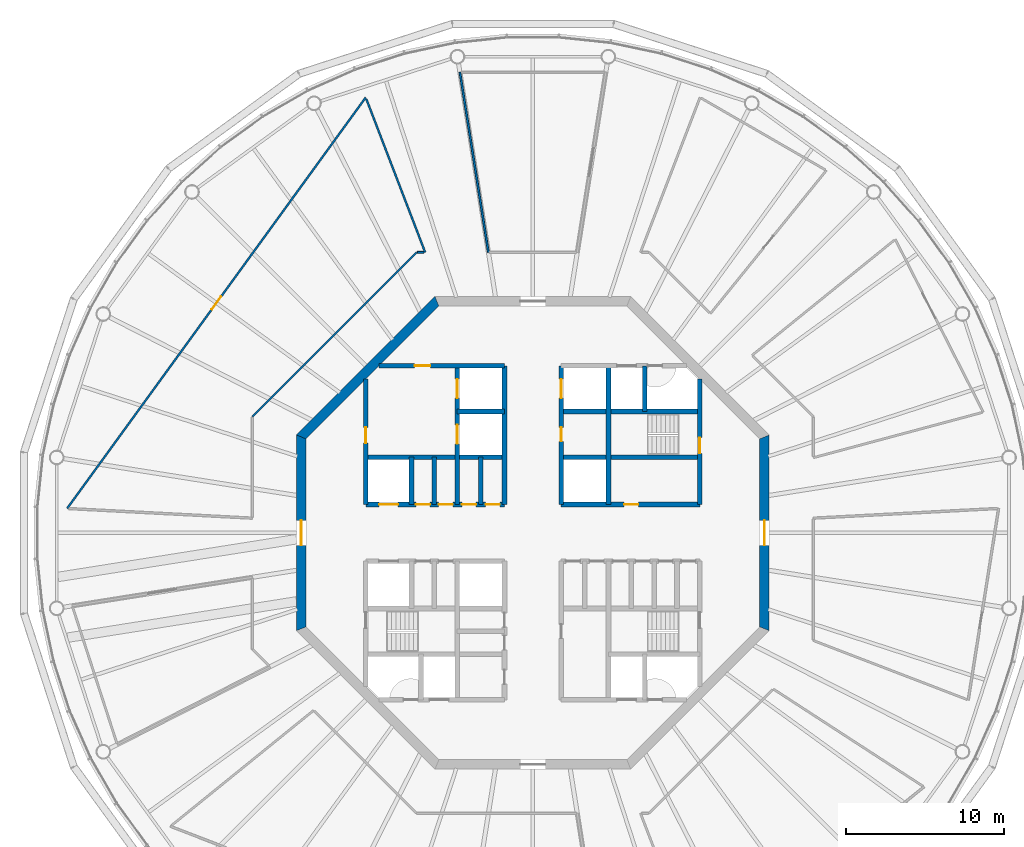
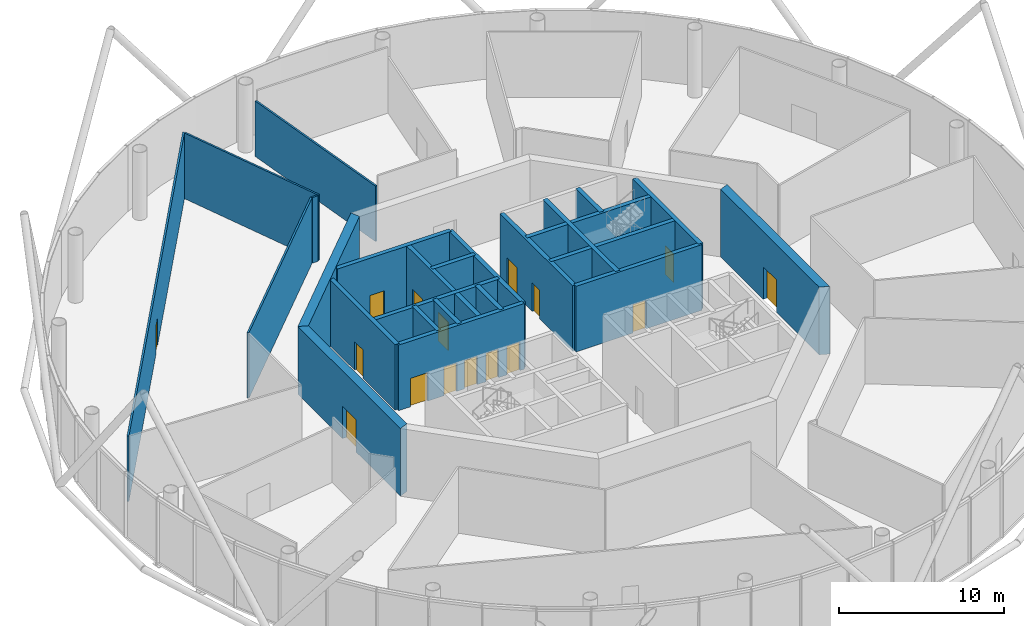
# One storey, part 5 of 13: 25 walls, 16 doors, 16 openings.
"""IFC4 building model written with IfcOpenShell, lengths in metres."""

import ifcopenshell
import ifcopenshell.guid

model = None  # the IFC model being written
_history = None  # IfcOwnerHistory: only IFC2X3 demands one
_inside = {}  # id of a spatial element -> (the spatial element, [elements in it])
_under = {}  # id of a project, library or spatial element -> (it, [spatial elements below it])
_declared = {}  # id of a project -> (the project, [libraries it declares])
_typed = {}  # id of a type object -> (the type object, [elements of that type])
_made_of = {}  # id of a material, layer set ... -> (it, [elements and type objects made of it])


def new_model(schema):
    """Start an empty IFC model of exactly this schema.

    Asked for "IFC4X3", IfcOpenShell would pick the latest addendum, in which some entities
    have other attributes; the version numbers below select the first issue.
    IFC2X3 requires an IfcOwnerHistory on every rooted entity: one is made here for all.
    """
    global model, _history
    if schema == "IFC4X3":
        model = ifcopenshell.file(schema_version=(4, 3, 0, 0))
    else:
        model = ifcopenshell.file(schema=schema)
    _inside.clear()
    _under.clear()
    _declared.clear()
    _typed.clear()
    _made_of.clear()
    _history = None
    if model.schema == "IFC2X3":
        org = make("IfcOrganization", Name="unknown")
        user = make(
            "IfcPersonAndOrganization",
            ThePerson=make("IfcPerson", FamilyName="unknown"),
            TheOrganization=org,
        )
        app = make(
            "IfcApplication",
            ApplicationDeveloper=org,
            Version="unknown",
            ApplicationFullName="unknown",
            ApplicationIdentifier="unknown",
        )
        _history = make(
            "IfcOwnerHistory",
            OwningUser=user,
            OwningApplication=app,
            ChangeAction="ADDED",
            CreationDate=0,
        )
    return model


def make(cls, **values):
    """One entity of the class cls with the attributes given. An attribute that is None is left unset."""
    return model.create_entity(
        cls, **{name: value for name, value in values.items() if value is not None}
    )


def rooted(cls, **values):
    """An entity with a GlobalId (a new one), such as an element, a storey or a relation."""
    return make(cls, GlobalId=ifcopenshell.guid.new(), OwnerHistory=_history, **values)


def si_unit(unit_type, name, prefix=None):
    """IfcSIUnit, for example si_unit("LENGTHUNIT", "METRE", prefix="MILLI")."""
    return make("IfcSIUnit", UnitType=unit_type, Prefix=prefix, Name=name)


def assignment(units):
    """IfcUnitAssignment: the units of a project."""
    return None if units is None else make("IfcUnitAssignment", Units=units)


def point(xyz):
    """IfcCartesianPoint."""
    return None if xyz is None else make("IfcCartesianPoint", Coordinates=xyz)


def direction(xyz):
    """IfcDirection."""
    return None if xyz is None else make("IfcDirection", DirectionRatios=xyz)


def frame(location, z_axis=None, x_axis=None):
    """IfcAxis2Placement3D, a coordinate frame: its origin and axes. An axis left out is left unset."""
    return make(
        "IfcAxis2Placement3D",
        Location=point(location),
        Axis=direction(z_axis),
        RefDirection=direction(x_axis),
    )


def frame_2d(location, x_axis=None):
    """IfcAxis2Placement2D, a coordinate frame in the plane: its origin and x axis."""
    return make(
        "IfcAxis2Placement2D", Location=point(location), RefDirection=direction(x_axis)
    )


def origin():
    """The frame at (0, 0, 0) with its axes left unset."""
    return frame((0.0, 0.0, 0.0))


def place(relative_to, where):
    """IfcLocalPlacement: puts the frame where relative to a parent placement (None: the world)."""
    return make(
        "IfcLocalPlacement", PlacementRelTo=relative_to, RelativePlacement=where
    )


def context(
    kind, dimensions, precision=None, world=None, true_north=None, identifier=None
):
    """IfcGeometricRepresentationContext, for example the 3D "Model" context."""
    return make(
        "IfcGeometricRepresentationContext",
        ContextIdentifier=identifier,
        ContextType=kind,
        CoordinateSpaceDimension=dimensions,
        Precision=precision,
        WorldCoordinateSystem=world,
        TrueNorth=true_north,
    )


def subcontext(parent, identifier, kind, view, scale=None):
    """IfcGeometricRepresentationSubContext, for example "Body" below "Model"."""
    return make(
        "IfcGeometricRepresentationSubContext",
        ContextIdentifier=identifier,
        ContextType=kind,
        ParentContext=parent,
        TargetScale=scale,
        TargetView=view,
    )


def project(units=None, contexts=None):
    """IfcProject with its units and contexts."""
    return rooted(
        "IfcProject",
        Name="project",
        RepresentationContexts=contexts,
        UnitsInContext=assignment(units),
    )


def spatial(cls, under=None, at=None, **own):
    """A site, building, storey or space (cls), placed at a placement, below another one or the project."""
    s = rooted(cls, ObjectPlacement=at, **own)
    if under is not None:
        _under.setdefault(under.id(), (under, []))[1].append(s)
    return s


def polyline(points):
    """IfcPolyline through the points."""
    return make("IfcPolyline", Points=[point(p) for p in points])


def profile(cls, at=None, kind="AREA", **sizes):
    """A parametric profile (cls). Its sizes go by their IFC names, for example OverallWidth=200.0."""
    return make(cls, ProfileType=kind, Position=at, **sizes)


def rectangle(**sizes):
    """IfcRectangleProfileDef."""
    return profile("IfcRectangleProfileDef", **sizes)


def outline(outer, holes=None, kind="AREA"):
    """IfcArbitraryClosedProfileDef: a profile drawn as a closed curve; with holes, ...WithVoids."""
    if holes is None:
        return make("IfcArbitraryClosedProfileDef", ProfileType=kind, OuterCurve=outer)
    return make(
        "IfcArbitraryProfileDefWithVoids",
        ProfileType=kind,
        OuterCurve=outer,
        InnerCurves=holes,
    )


def extrude(swept, where, along, depth):
    """IfcExtrudedAreaSolid: the profile swept, set in the frame where, extruded along a direction by depth."""
    return make(
        "IfcExtrudedAreaSolid",
        SweptArea=swept,
        Position=where,
        ExtrudedDirection=direction(along),
        Depth=depth,
    )


def shape(context_of_items, identifier, shape_type, items):
    """IfcShapeRepresentation: the items that make up one representation, for example the "Body"."""
    return make(
        "IfcShapeRepresentation",
        ContextOfItems=context_of_items,
        RepresentationIdentifier=identifier,
        RepresentationType=shape_type,
        Items=items,
    )


def material(Name=None, Category=None):
    """IfcMaterial."""
    return make("IfcMaterial", Name=Name, Category=Category)


def layer(
    of_material, thickness, ventilated=None, Name=None, Category=None, Priority=None
):
    """IfcMaterialLayer: one layer of a wall or slab, of a material (None: an air gap)."""
    return make(
        "IfcMaterialLayer",
        Material=of_material,
        LayerThickness=thickness,
        IsVentilated=ventilated,
        Name=Name,
        Category=Category,
        Priority=Priority,
    )


def layer_set(layers, Name=None):
    """IfcMaterialLayerSet."""
    return make("IfcMaterialLayerSet", MaterialLayers=layers, LayerSetName=Name)


def made_of(thing, what):
    """Note that an element or type object is made of a material, layer set ...; save() writes the relation."""
    if what is not None:
        _made_of.setdefault(what.id(), (what, []))[1].append(thing)
    return thing


def type_object(cls, material=None, **own):
    """A type object (cls), such as IfcWallType, which elements share."""
    return made_of(rooted(cls, **own), material)


def element(
    cls,
    number,
    at=None,
    inside=None,
    cuts=None,
    type_object=None,
    material=None,
    context=None,
    identifier="Body",
    shape_type=None,
    held_by="IfcProductDefinitionShape",
    body=None,
    shapes=None,
    **own,
):
    """One element of the class cls, such as IfcWall. Its Tag is "e" and its number.

    at: its placement. inside: the storey or other place that contains it. cuts: it is an
    opening in that element (IfcRelVoidsElement). A single representation is given by context,
    identifier, shape_type and body (its items); several are given by shapes. held_by: the class
    of the entity that holds the representations. save() writes the other relations.
    """
    e = rooted(cls, Tag="e%d" % number, ObjectPlacement=at, **own)
    if body is not None:
        shapes = [shape(context, identifier, shape_type, body)]
    if shapes is not None:
        e.Representation = make(held_by, Representations=shapes)
    if inside is not None:
        _inside.setdefault(inside.id(), (inside, []))[1].append(e)
    if cuts is not None:
        rooted(
            "IfcRelVoidsElement", RelatingBuildingElement=cuts, RelatedOpeningElement=e
        )
    if type_object is not None:
        _typed.setdefault(type_object.id(), (type_object, []))[1].append(e)
    return made_of(e, material)


def fill(opening, filler):
    """IfcRelFillsElement: the door or window that sits in an opening."""
    return rooted(
        "IfcRelFillsElement",
        RelatingOpeningElement=opening,
        RelatedBuildingElement=filler,
    )


def aggregate(whole, parts):
    """IfcRelAggregates: a whole, such as a stair, and the parts it consists of."""
    return rooted("IfcRelAggregates", RelatingObject=whole, RelatedObjects=parts)


def save(model, path):
    """Write the relations noted so far, then the file.

    IfcRelAggregates (storeys below a building ...), IfcRelContainedInSpatialStructure (elements
    in a storey), IfcRelDefinesByType, IfcRelAssociatesMaterial and IfcRelDeclares: one each for
    every whole, place, type object, material and project.
    """
    for whole, parts in _under.values():
        aggregate(whole, parts)
    for where, things in _inside.values():
        rooted(
            "IfcRelContainedInSpatialStructure",
            RelatedElements=things,
            RelatingStructure=where,
        )
    for kind, things in _typed.values():
        rooted("IfcRelDefinesByType", RelatedObjects=things, RelatingType=kind)
    for what, things in _made_of.values():
        rooted("IfcRelAssociatesMaterial", RelatedObjects=things, RelatingMaterial=what)
    for by, libraries in _declared.values():
        rooted("IfcRelDeclares", RelatingContext=by, RelatedDefinitions=libraries)
    model.write(path)


model = new_model("IFC4")

# Units and contexts
model_context = context("Model", 3, precision=1e-05, world=origin(), true_north=direction((0.0, 1.0)))
body_context = subcontext(model_context, "Body", "Model", "MODEL_VIEW")
ifc_project = project(units=[si_unit("LENGTHUNIT", "METRE"), si_unit("AREAUNIT", "SQUARE_METRE"), si_unit("VOLUMEUNIT", "CUBIC_METRE"), si_unit("PLANEANGLEUNIT", "RADIAN"), si_unit("MASSUNIT", "GRAM", prefix="KILO")], contexts=[model_context])

# Site, building, storey
site_placement = place(None, origin())
site = spatial("IfcSite", under=ifc_project, at=site_placement, CompositionType="ELEMENT")
building_placement = place(site_placement, origin())
building = spatial("IfcBuilding", under=site, at=building_placement, Name="Entoto Ring Tower", CompositionType="ELEMENT")
storey_placement = place(building_placement, frame((0.0, 0.0, 402.0)))
storey = spatial("IfcBuildingStorey", under=building, at=storey_placement, Name="L92", CompositionType="ELEMENT", Elevation=402.0)

# Wall, opening, door
ifc_material_1 = material(Name="Concrete C40/50", Category="concrete")
ifc_layer_1 = layer(ifc_material_1, 0.300048828125)
ifc_layer_set_1 = layer_set([ifc_layer_1], Name="Concrete C40/50")
wall_type_1 = type_object("IfcWallType", Name="Core enclosure wall 300 mm reinforced concrete", PredefinedType="SOLIDWALL", material=ifc_layer_set_1)
wall_1_placement = place(storey_placement, frame((100.60009765625, 81.800048828125, 0.0), z_axis=(0.0, 0.0, 1.0), x_axis=(0.0, 1.0, 0.0)))
wall_1 = element("IfcWall", 1, at=wall_1_placement, inside=storey, type_object=wall_type_1, Name="wall-L92-002", PredefinedType="SOLIDWALL", context=body_context, shape_type="SweptSolid", body=[
    extrude(rectangle(XDim=7.964599609375, YDim=0.300048828125, at=frame_2d((3.982421875, 0.0))), origin(), (0.0, 0.0, 1.0), 4.85009765625),
])
opening_1_placement = place(wall_1_placement, frame((3.25, 0.0, 0.0)))
opening_1 = element("IfcOpeningElement", 2, at=opening_1_placement, cuts=wall_1, Name="Opening K-29", PredefinedType="OPENING", context=body_context, shape_type="SweptSolid", body=[
    extrude(rectangle(XDim=1.0, YDim=2.10009765625, at=frame_2d((0.5, 1.050048828125))), frame((0.0, 0.16015625, 0.0), z_axis=(0.0, -1.0, 0.0), x_axis=(1.0, 0.0, 0.0)), (0.0, 0.0, 1.0), 0.320068359375),
])
ifc_material_2 = material(Name="Steel door leaf, fire rated", Category="steel")
ifc_layer_2 = layer(ifc_material_2, 0.050048828125)
ifc_layer_set_2 = layer_set([ifc_layer_2], Name="Steel door leaf, fire rated")
door_type_1 = type_object("IfcDoorType", Name="Fire door FD60 1000 x 2100 single leaf", OperationType="NOTDEFINED", PredefinedType="DOOR", material=ifc_layer_set_2)
door_1_placement = place(opening_1_placement, origin())
door_1 = element("IfcDoor", 3, at=door_1_placement, inside=storey, type_object=door_type_1, Name="Door K-29", OperationType="SINGLE_SWING_RIGHT", OverallHeight=2.10009765625, OverallWidth=1.0, PredefinedType="DOOR", context=body_context, shape_type="SweptSolid", body=[
    extrude(rectangle(XDim=1.0, YDim=2.10009765625, at=frame_2d((0.5, 1.050048828125))), frame((0.0, 0.02490234375, 0.0), z_axis=(0.0, -1.0, 0.0), x_axis=(1.0, 0.0, 0.0)), (0.0, 0.0, 1.0), 0.050048828125),
])
fill(opening_1, door_1)

# Walls
wall_2_placement = place(storey_placement, frame((97.10009765625, 87.699951171875, 0.0), z_axis=(0.0, 0.0, 1.0), x_axis=(0.0, 1.0, 0.0)))
element("IfcWall", 4, at=wall_2_placement, inside=storey, type_object=wall_type_1, Name="wall-L92-006", PredefinedType="SOLIDWALL", context=body_context, shape_type="SweptSolid", body=[
    extrude(rectangle(XDim=2.900146484375, YDim=0.300048828125, at=frame_2d((1.4501953125, 0.0))), origin(), (0.0, 0.0, 1.0), 4.85009765625),
])
wall_3_placement = place(storey_placement, frame((94.800048828125, 81.800048828125, 0.0), z_axis=(0.0, 0.0, 1.0), x_axis=(0.0, 1.0, 0.0)))
element("IfcWall", 5, at=wall_3_placement, inside=storey, type_object=wall_type_1, Name="wall-L92-009", PredefinedType="SOLIDWALL", context=body_context, shape_type="SweptSolid", body=[
    extrude(rectangle(XDim=8.800048828125, YDim=0.300048828125, at=frame_2d((4.39990234375, 0.0))), origin(), (0.0, 0.0, 1.0), 4.85009765625),
])

# Wall, openings, doors
wall_4_placement = place(storey_placement, frame((91.800048828125, 81.800048828125, 0.0), z_axis=(0.0, 0.0, 1.0), x_axis=(0.0, 1.0, 0.0)))
wall_4 = element("IfcWall", 6, at=wall_4_placement, inside=storey, type_object=wall_type_1, Name="wall-L92-012", PredefinedType="SOLIDWALL", context=body_context, shape_type="SweptSolid", body=[
    extrude(rectangle(XDim=8.800048828125, YDim=0.300048828125, at=frame_2d((4.39990234375, 0.0))), origin(), (0.0, 0.0, 1.0), 4.85009765625),
])
opening_2_placement = place(wall_4_placement, frame((6.75, 0.0, 0.0)))
opening_2 = element("IfcOpeningElement", 7, at=opening_2_placement, cuts=wall_4, Name="Opening LD", PredefinedType="OPENING", context=body_context, shape_type="SweptSolid", body=[
    extrude(rectangle(XDim=1.199951171875, YDim=2.10009765625, at=frame_2d((0.60009765625, 1.050048828125))), frame((0.0, 0.16015625, 0.0), z_axis=(0.0, -1.0, 0.0), x_axis=(1.0, 0.0, 0.0)), (0.0, 0.0, 1.0), 0.320068359375),
])
opening_3_placement = place(wall_4_placement, frame((4.0, 0.0, 0.0)))
opening_3 = element("IfcOpeningElement", 8, at=opening_3_placement, cuts=wall_4, Name="Opening K-63", PredefinedType="OPENING", context=body_context, shape_type="SweptSolid", body=[
    extrude(rectangle(XDim=0.89990234375, YDim=2.10009765625, at=frame_2d((0.449951171875, 1.050048828125))), frame((0.0, 0.16015625, 0.0), z_axis=(0.0, -1.0, 0.0), x_axis=(1.0, 0.0, 0.0)), (0.0, 0.0, 1.0), 0.320068359375),
])
ifc_material_3 = material(Name="Steel door leaf, fire rated", Category="steel")
ifc_layer_3 = layer(ifc_material_3, 0.050048828125)
ifc_layer_set_3 = layer_set([ifc_layer_3], Name="Steel door leaf, fire rated")
door_type_2 = type_object("IfcDoorType", Name="Core door 900 x 2100 single leaf", OperationType="NOTDEFINED", PredefinedType="DOOR", material=ifc_layer_set_3)
door_2_placement = place(opening_3_placement, origin())
door_2 = element("IfcDoor", 9, at=door_2_placement, inside=storey, type_object=door_type_2, Name="Door K-63", OperationType="SINGLE_SWING_RIGHT", OverallHeight=2.10009765625, OverallWidth=0.89990234375, PredefinedType="DOOR", context=body_context, shape_type="SweptSolid", body=[
    extrude(rectangle(XDim=0.89990234375, YDim=2.10009765625, at=frame_2d((0.449951171875, 1.050048828125))), frame((0.0, 0.02490234375, 0.0), z_axis=(0.0, -1.0, 0.0), x_axis=(1.0, 0.0, 0.0)), (0.0, 0.0, 1.0), 0.050048828125),
])
fill(opening_3, door_2)
ifc_material_4 = material(Name="Steel and glass door leaf", Category="steel")
ifc_layer_4 = layer(ifc_material_4, 0.050048828125)
ifc_layer_set_4 = layer_set([ifc_layer_4], Name="Steel and glass door leaf")
door_type_3 = type_object("IfcDoorType", Name="Landing door 1200 x 2100 sliding", OperationType="DOUBLE_DOOR_SLIDING", PredefinedType="DOOR", material=ifc_layer_set_4)
door_3_placement = place(opening_2_placement, origin())
door_3 = element("IfcDoor", 10, at=door_3_placement, inside=storey, type_object=door_type_3, Name="Landing door SH3", OperationType="SLIDING_TO_RIGHT", OverallHeight=2.10009765625, OverallWidth=1.199951171875, PredefinedType="DOOR", context=body_context, shape_type="SweptSolid", body=[
    extrude(rectangle(XDim=1.199951171875, YDim=2.10009765625, at=frame_2d((0.60009765625, 1.050048828125))), frame((0.0, 0.02490234375, 0.0), z_axis=(0.0, -1.0, 0.0), x_axis=(1.0, 0.0, 0.0)), (0.0, 0.0, 1.0), 0.050048828125),
])
fill(opening_2, door_3)

# Walls
wall_5_placement = place(storey_placement, frame((88.199951171875, 81.800048828125, 0.0), z_axis=(0.0, 0.0, 1.0), x_axis=(0.0, 1.0, 0.0)))
element("IfcWall", 11, at=wall_5_placement, inside=storey, type_object=wall_type_1, Name="wall-L92-014", PredefinedType="SOLIDWALL", context=body_context, shape_type="SweptSolid", body=[
    extrude(rectangle(XDim=8.800048828125, YDim=0.300048828125, at=frame_2d((4.39990234375, 0.0))), origin(), (0.0, 0.0, 1.0), 4.85009765625),
])
wall_6_placement = place(storey_placement, frame((86.699951171875, 81.800048828125, 0.0), z_axis=(0.0, 0.0, 1.0), x_axis=(0.0, 1.0, 0.0)))
element("IfcWall", 12, at=wall_6_placement, inside=storey, type_object=wall_type_1, Name="wall-L92-015", PredefinedType="SOLIDWALL", context=body_context, shape_type="SweptSolid", body=[
    extrude(rectangle(XDim=3.0, YDim=0.300048828125, at=frame_2d((1.5, 0.0))), origin(), (0.0, 0.0, 1.0), 4.85009765625),
])

# Wall, openings, doors
wall_7_placement = place(storey_placement, frame((85.199951171875, 81.800048828125, 0.0), z_axis=(0.0, 0.0, 1.0), x_axis=(0.0, 1.0, 0.0)))
wall_7 = element("IfcWall", 13, at=wall_7_placement, inside=storey, type_object=wall_type_1, Name="wall-L92-017", PredefinedType="SOLIDWALL", context=body_context, shape_type="SweptSolid", body=[
    extrude(rectangle(XDim=8.800048828125, YDim=0.300048828125, at=frame_2d((4.39990234375, 0.0))), origin(), (0.0, 0.0, 1.0), 4.85009765625),
])
opening_4_placement = place(wall_7_placement, frame((3.85009765625, 0.0, 0.0)))
opening_4 = element("IfcOpeningElement", 14, at=opening_4_placement, cuts=wall_7, Name="Opening LD", PredefinedType="OPENING", context=body_context, shape_type="SweptSolid", body=[
    extrude(rectangle(XDim=1.199951171875, YDim=2.10009765625, at=frame_2d((0.60009765625, 1.050048828125))), frame((0.0, 0.16015625, 0.0), z_axis=(0.0, -1.0, 0.0), x_axis=(1.0, 0.0, 0.0)), (0.0, 0.0, 1.0), 0.320068359375),
])
opening_5_placement = place(wall_7_placement, frame((6.75, 0.0, 0.0)))
opening_5 = element("IfcOpeningElement", 15, at=opening_5_placement, cuts=wall_7, Name="Opening LD", PredefinedType="OPENING", context=body_context, shape_type="SweptSolid", body=[
    extrude(rectangle(XDim=1.199951171875, YDim=2.10009765625, at=frame_2d((0.60009765625, 1.050048828125))), frame((0.0, 0.16015625, 0.0), z_axis=(0.0, -1.0, 0.0), x_axis=(1.0, 0.0, 0.0)), (0.0, 0.0, 1.0), 0.320068359375),
])
door_4_placement = place(opening_4_placement, origin())
door_4 = element("IfcDoor", 16, at=door_4_placement, inside=storey, type_object=door_type_3, Name="Landing door FF1", OperationType="SLIDING_TO_RIGHT", OverallHeight=2.10009765625, OverallWidth=1.199951171875, PredefinedType="DOOR", context=body_context, shape_type="SweptSolid", body=[
    extrude(rectangle(XDim=1.199951171875, YDim=2.10009765625, at=frame_2d((0.60009765625, 1.050048828125))), frame((0.0, 0.02490234375, 0.0), z_axis=(0.0, -1.0, 0.0), x_axis=(1.0, 0.0, 0.0)), (0.0, 0.0, 1.0), 0.050048828125),
])
fill(opening_4, door_4)
door_5_placement = place(opening_5_placement, origin())
door_5 = element("IfcDoor", 17, at=door_5_placement, inside=storey, type_object=door_type_3, Name="Landing door FF2", OperationType="SLIDING_TO_RIGHT", OverallHeight=2.10009765625, OverallWidth=1.199951171875, PredefinedType="DOOR", context=body_context, shape_type="SweptSolid", body=[
    extrude(rectangle(XDim=1.199951171875, YDim=2.10009765625, at=frame_2d((0.60009765625, 1.050048828125))), frame((0.0, 0.02490234375, 0.0), z_axis=(0.0, -1.0, 0.0), x_axis=(1.0, 0.0, 0.0)), (0.0, 0.0, 1.0), 0.050048828125),
])
fill(opening_5, door_5)

# Walls
for number, where, z_axis, x_axis, name in (
    (18, (83.75, 81.800048828125, 0.0), (0.0, 0.0, 1.0), (0.0, 1.0, 0.0), "wall-L92-019"),
    (19, (82.300048828125, 81.800048828125, 0.0), (0.0, 0.0, 1.0), (0.0, 1.0, 0.0), "wall-L92-022"),
):
    element("IfcWall", number, at=place(storey_placement, frame(where, z_axis=z_axis, x_axis=x_axis)), inside=storey, type_object=wall_type_1, Name=name, PredefinedType="SOLIDWALL", context=body_context, shape_type="SweptSolid", body=[
        extrude(rectangle(XDim=3.0, YDim=0.300048828125, at=frame_2d((1.5, 0.0))), origin(), (0.0, 0.0, 1.0), 4.85009765625),
    ])

# Wall, opening, door
wall_8_placement = place(storey_placement, frame((79.39990234375, 81.800048828125, 0.0), z_axis=(0.0, 0.0, 1.0), x_axis=(0.0, 1.0, 0.0)))
wall_8 = element("IfcWall", 20, at=wall_8_placement, inside=storey, type_object=wall_type_1, Name="wall-L92-024", PredefinedType="SOLIDWALL", context=body_context, shape_type="SweptSolid", body=[
    extrude(rectangle(XDim=7.964599609375, YDim=0.300048828125, at=frame_2d((3.982421875, 0.0))), origin(), (0.0, 0.0, 1.0), 4.85009765625),
])
opening_6_placement = place(wall_8_placement, frame((3.89990234375, 0.0, 0.0)))
opening_6 = element("IfcOpeningElement", 21, at=opening_6_placement, cuts=wall_8, Name="Opening K-35", PredefinedType="OPENING", context=body_context, shape_type="SweptSolid", body=[
    extrude(rectangle(XDim=1.0, YDim=2.10009765625, at=frame_2d((0.5, 1.050048828125))), frame((0.0, 0.16015625, 0.0), z_axis=(0.0, -1.0, 0.0), x_axis=(1.0, 0.0, 0.0)), (0.0, 0.0, 1.0), 0.320068359375),
])
door_6_placement = place(opening_6_placement, frame((1.0, 0.0, 0.0), z_axis=(0.0, 0.0, 1.0), x_axis=(-1.0, 0.0, 0.0)))
door_6 = element("IfcDoor", 22, at=door_6_placement, inside=storey, type_object=door_type_1, Name="Door K-35", OperationType="SINGLE_SWING_LEFT", OverallHeight=2.10009765625, OverallWidth=1.0, PredefinedType="DOOR", context=body_context, shape_type="SweptSolid", body=[
    extrude(rectangle(XDim=1.0, YDim=2.10009765625, at=frame_2d((0.5, 1.050048828125))), frame((0.0, 0.02490234375, 0.0), z_axis=(0.0, -1.0, 0.0), x_axis=(1.0, 0.0, 0.0)), (0.0, 0.0, 1.0), 0.050048828125),
])
fill(opening_6, door_6)

# Wall, openings, doors
wall_9_placement = place(storey_placement, frame((79.39990234375, 81.800048828125, 0.0), z_axis=(0.0, 0.0, 1.0), x_axis=(1.0, 0.0, 0.0)))
wall_9 = element("IfcWall", 23, at=wall_9_placement, inside=storey, type_object=wall_type_1, Name="wall-L92-034", PredefinedType="SOLIDWALL", context=body_context, shape_type="SweptSolid", body=[
    extrude(rectangle(XDim=8.800048828125, YDim=0.300048828125, at=frame_2d((4.39990234375, 0.0))), origin(), (0.0, 0.0, 1.0), 4.85009765625),
])
opening_7_placement = place(wall_9_placement, frame((0.85009765625, 0.0, 0.0)))
opening_7 = element("IfcOpeningElement", 24, at=opening_7_placement, cuts=wall_9, Name="Opening LD", PredefinedType="OPENING", context=body_context, shape_type="SweptSolid", body=[
    extrude(rectangle(XDim=1.199951171875, YDim=2.10009765625, at=frame_2d((0.60009765625, 1.050048828125))), frame((0.0, 0.16015625, 0.0), z_axis=(0.0, -1.0, 0.0), x_axis=(1.0, 0.0, 0.0)), (0.0, 0.0, 1.0), 0.320068359375),
])
opening_8_placement = place(wall_9_placement, frame((3.175048828125, 0.0, 0.0)))
opening_8 = element("IfcOpeningElement", 25, at=opening_8_placement, cuts=wall_9, Name="Opening K-12", PredefinedType="OPENING", context=body_context, shape_type="SweptSolid", body=[
    extrude(rectangle(XDim=0.89990234375, YDim=2.10009765625, at=frame_2d((0.449951171875, 1.050048828125))), frame((0.0, 0.16015625, 0.0), z_axis=(0.0, -1.0, 0.0), x_axis=(1.0, 0.0, 0.0)), (0.0, 0.0, 1.0), 0.320068359375),
])
opening_9_placement = place(wall_9_placement, frame((4.625, 0.0, 0.0)))
opening_9 = element("IfcOpeningElement", 26, at=opening_9_placement, cuts=wall_9, Name="Opening K-46", PredefinedType="OPENING", context=body_context, shape_type="SweptSolid", body=[
    extrude(rectangle(XDim=0.89990234375, YDim=2.10009765625, at=frame_2d((0.449951171875, 1.050048828125))), frame((0.0, 0.16015625, 0.0), z_axis=(0.0, -1.0, 0.0), x_axis=(1.0, 0.0, 0.0)), (0.0, 0.0, 1.0), 0.320068359375),
])
opening_10_placement = place(wall_9_placement, frame((6.10009765625, 0.0, 0.0)))
opening_10 = element("IfcOpeningElement", 27, at=opening_10_placement, cuts=wall_9, Name="Opening K-25", PredefinedType="OPENING", context=body_context, shape_type="SweptSolid", body=[
    extrude(rectangle(XDim=0.89990234375, YDim=2.10009765625, at=frame_2d((0.449951171875, 1.050048828125))), frame((0.0, 0.16015625, 0.0), z_axis=(0.0, -1.0, 0.0), x_axis=(1.0, 0.0, 0.0)), (0.0, 0.0, 1.0), 0.320068359375),
])
opening_11_placement = place(wall_9_placement, frame((7.60009765625, 0.0, 0.0)))
opening_11 = element("IfcOpeningElement", 28, at=opening_11_placement, cuts=wall_9, Name="Opening K-77", PredefinedType="OPENING", context=body_context, shape_type="SweptSolid", body=[
    extrude(rectangle(XDim=0.89990234375, YDim=2.10009765625, at=frame_2d((0.449951171875, 1.050048828125))), frame((0.0, 0.16015625, 0.0), z_axis=(0.0, -1.0, 0.0), x_axis=(1.0, 0.0, 0.0)), (0.0, 0.0, 1.0), 0.320068359375),
])
door_7_placement = place(opening_8_placement, origin())
door_7 = element("IfcDoor", 29, at=door_7_placement, inside=storey, type_object=door_type_2, Name="Door K-12", OperationType="SINGLE_SWING_RIGHT", OverallHeight=2.10009765625, OverallWidth=0.89990234375, PredefinedType="DOOR", context=body_context, shape_type="SweptSolid", body=[
    extrude(rectangle(XDim=0.89990234375, YDim=2.10009765625, at=frame_2d((0.449951171875, 1.050048828125))), frame((0.0, 0.02490234375, 0.0), z_axis=(0.0, -1.0, 0.0), x_axis=(1.0, 0.0, 0.0)), (0.0, 0.0, 1.0), 0.050048828125),
])
fill(opening_8, door_7)
door_8_placement = place(opening_9_placement, frame((0.89990234375, 0.0, 0.0), z_axis=(0.0, 0.0, 1.0), x_axis=(-1.0, 0.0, 0.0)))
door_8 = element("IfcDoor", 30, at=door_8_placement, inside=storey, type_object=door_type_2, Name="Door K-46", OperationType="SINGLE_SWING_RIGHT", OverallHeight=2.10009765625, OverallWidth=0.89990234375, PredefinedType="DOOR", context=body_context, shape_type="SweptSolid", body=[
    extrude(rectangle(XDim=0.89990234375, YDim=2.10009765625, at=frame_2d((0.449951171875, 1.050048828125))), frame((0.0, 0.02490234375, 0.0), z_axis=(0.0, -1.0, 0.0), x_axis=(1.0, 0.0, 0.0)), (0.0, 0.0, 1.0), 0.050048828125),
])
fill(opening_9, door_8)
door_9_placement = place(opening_10_placement, frame((0.89990234375, 0.0, 0.0), z_axis=(0.0, 0.0, 1.0), x_axis=(-1.0, 0.0, 0.0)))
door_9 = element("IfcDoor", 31, at=door_9_placement, inside=storey, type_object=door_type_2, Name="Door K-25", OperationType="SINGLE_SWING_RIGHT", OverallHeight=2.10009765625, OverallWidth=0.89990234375, PredefinedType="DOOR", context=body_context, shape_type="SweptSolid", body=[
    extrude(rectangle(XDim=0.89990234375, YDim=2.10009765625, at=frame_2d((0.449951171875, 1.050048828125))), frame((0.0, 0.02490234375, 0.0), z_axis=(0.0, -1.0, 0.0), x_axis=(1.0, 0.0, 0.0)), (0.0, 0.0, 1.0), 0.050048828125),
])
fill(opening_10, door_9)
door_10_placement = place(opening_11_placement, frame((0.89990234375, 0.0, 0.0), z_axis=(0.0, 0.0, 1.0), x_axis=(-1.0, 0.0, 0.0)))
door_10 = element("IfcDoor", 32, at=door_10_placement, inside=storey, type_object=door_type_2, Name="Door K-77", OperationType="SINGLE_SWING_RIGHT", OverallHeight=2.10009765625, OverallWidth=0.89990234375, PredefinedType="DOOR", context=body_context, shape_type="SweptSolid", body=[
    extrude(rectangle(XDim=0.89990234375, YDim=2.10009765625, at=frame_2d((0.449951171875, 1.050048828125))), frame((0.0, 0.02490234375, 0.0), z_axis=(0.0, -1.0, 0.0), x_axis=(1.0, 0.0, 0.0)), (0.0, 0.0, 1.0), 0.050048828125),
])
fill(opening_11, door_10)
door_11_placement = place(opening_7_placement, origin())
door_11 = element("IfcDoor", 33, at=door_11_placement, inside=storey, type_object=door_type_3, Name="Landing door SH1", OperationType="SLIDING_TO_RIGHT", OverallHeight=2.10009765625, OverallWidth=1.199951171875, PredefinedType="DOOR", context=body_context, shape_type="SweptSolid", body=[
    extrude(rectangle(XDim=1.199951171875, YDim=2.10009765625, at=frame_2d((0.60009765625, 1.050048828125))), frame((0.0, 0.02490234375, 0.0), z_axis=(0.0, -1.0, 0.0), x_axis=(1.0, 0.0, 0.0)), (0.0, 0.0, 1.0), 0.050048828125),
])
fill(opening_7, door_11)

# Wall, opening, door
wall_10_placement = place(storey_placement, frame((91.800048828125, 81.800048828125, 0.0), z_axis=(0.0, 0.0, 1.0), x_axis=(1.0, 0.0, 0.0)))
wall_10 = element("IfcWall", 34, at=wall_10_placement, inside=storey, type_object=wall_type_1, Name="wall-L92-035", PredefinedType="SOLIDWALL", context=body_context, shape_type="SweptSolid", body=[
    extrude(rectangle(XDim=8.800048828125, YDim=0.300048828125, at=frame_2d((4.39990234375, 0.0))), origin(), (0.0, 0.0, 1.0), 4.85009765625),
])
opening_12_placement = place(wall_10_placement, frame((4.0, 0.0, 0.0)))
opening_12 = element("IfcOpeningElement", 35, at=opening_12_placement, cuts=wall_10, Name="Opening K-11", PredefinedType="OPENING", context=body_context, shape_type="SweptSolid", body=[
    extrude(rectangle(XDim=0.89990234375, YDim=2.10009765625, at=frame_2d((0.449951171875, 1.050048828125))), frame((0.0, 0.16015625, 0.0), z_axis=(0.0, -1.0, 0.0), x_axis=(1.0, 0.0, 0.0)), (0.0, 0.0, 1.0), 0.320068359375),
])
door_12_placement = place(opening_12_placement, origin())
door_12 = element("IfcDoor", 36, at=door_12_placement, inside=storey, type_object=door_type_2, Name="Door K-11", OperationType="SINGLE_SWING_LEFT", OverallHeight=2.10009765625, OverallWidth=0.89990234375, PredefinedType="DOOR", context=body_context, shape_type="SweptSolid", body=[
    extrude(rectangle(XDim=0.89990234375, YDim=2.10009765625, at=frame_2d((0.449951171875, 1.050048828125))), frame((0.0, 0.02490234375, 0.0), z_axis=(0.0, -1.0, 0.0), x_axis=(1.0, 0.0, 0.0)), (0.0, 0.0, 1.0), 0.050048828125),
])
fill(opening_12, door_12)

# Walls
for number, where, z_axis, x_axis, name in (
    (37, (79.39990234375, 84.800048828125, 0.0), (0.0, 0.0, 1.0), (1.0, 0.0, 0.0), "wall-L92-036"),
    (38, (91.800048828125, 84.800048828125, 0.0), (0.0, 0.0, 1.0), (1.0, 0.0, 0.0), "wall-L92-037"),
):
    element("IfcWall", number, at=place(storey_placement, frame(where, z_axis=z_axis, x_axis=x_axis)), inside=storey, type_object=wall_type_1, Name=name, PredefinedType="SOLIDWALL", context=body_context, shape_type="SweptSolid", body=[
        extrude(rectangle(XDim=8.800048828125, YDim=0.300048828125, at=frame_2d((4.39990234375, 0.0))), origin(), (0.0, 0.0, 1.0), 4.85009765625),
    ])
wall_11_placement = place(storey_placement, frame((85.199951171875, 87.699951171875, 0.0), z_axis=(0.0, 0.0, 1.0), x_axis=(1.0, 0.0, 0.0)))
element("IfcWall", 39, at=wall_11_placement, inside=storey, type_object=wall_type_1, Name="wall-L92-038", PredefinedType="SOLIDWALL", context=body_context, shape_type="SweptSolid", body=[
    extrude(rectangle(XDim=3.0, YDim=0.300048828125, at=frame_2d((1.5, 0.0))), origin(), (0.0, 0.0, 1.0), 4.85009765625),
])
wall_12_placement = place(storey_placement, frame((91.800048828125, 87.699951171875, 0.0), z_axis=(0.0, 0.0, 1.0), x_axis=(1.0, 0.0, 0.0)))
element("IfcWall", 40, at=wall_12_placement, inside=storey, type_object=wall_type_1, Name="wall-L92-039", PredefinedType="SOLIDWALL", context=body_context, shape_type="SweptSolid", body=[
    extrude(rectangle(XDim=8.800048828125, YDim=0.300048828125, at=frame_2d((4.39990234375, 0.0))), origin(), (0.0, 0.0, 1.0), 4.85009765625),
])

# Wall, opening, door
wall_13_placement = place(storey_placement, frame((80.2353515625, 90.60009765625, 0.0), z_axis=(0.0, 0.0, 1.0), x_axis=(1.0, 0.0, 0.0)))
wall_13 = element("IfcWall", 41, at=wall_13_placement, inside=storey, type_object=wall_type_1, Name="wall-L92-040", PredefinedType="SOLIDWALL", context=body_context, shape_type="SweptSolid", body=[
    extrude(rectangle(XDim=7.964599609375, YDim=0.300048828125, at=frame_2d((3.982421875, 0.0))), origin(), (0.0, 0.0, 1.0), 4.85009765625),
])
opening_13_placement = place(wall_13_placement, frame((2.2646484375, 0.0, 0.0)))
opening_13 = element("IfcOpeningElement", 42, at=opening_13_placement, cuts=wall_13, Name="Opening K-36", PredefinedType="OPENING", context=body_context, shape_type="SweptSolid", body=[
    extrude(rectangle(XDim=1.0, YDim=2.10009765625, at=frame_2d((0.5, 1.050048828125))), frame((0.0, 0.16015625, 0.0), z_axis=(0.0, -1.0, 0.0), x_axis=(1.0, 0.0, 0.0)), (0.0, 0.0, 1.0), 0.320068359375),
])
door_13_placement = place(opening_13_placement, frame((1.0, 0.0, 0.0), z_axis=(0.0, 0.0, 1.0), x_axis=(-1.0, 0.0, 0.0)))
door_13 = element("IfcDoor", 43, at=door_13_placement, inside=storey, type_object=door_type_1, Name="Door K-36", OperationType="SINGLE_SWING_RIGHT", OverallHeight=2.10009765625, OverallWidth=1.0, PredefinedType="DOOR", context=body_context, shape_type="SweptSolid", body=[
    extrude(rectangle(XDim=1.0, YDim=2.10009765625, at=frame_2d((0.5, 1.050048828125))), frame((0.0, 0.02490234375, 0.0), z_axis=(0.0, -1.0, 0.0), x_axis=(1.0, 0.0, 0.0)), (0.0, 0.0, 1.0), 0.050048828125),
])
fill(opening_13, door_13)

ifc_material_5 = material(Name="Concrete C40/50", Category="concrete")
ifc_layer_5 = layer(ifc_material_5, 0.60009765625)
ifc_layer_set_5 = layer_set([ifc_layer_5], Name="Concrete C40/50")
wall_type_2 = type_object("IfcWallType", Name="Core shear wall 600 mm reinforced concrete C40/50", PredefinedType="SHEAR", material=ifc_layer_set_5)
wall_14_placement = place(storey_placement, frame((104.699951171875, 73.9111328125, 0.0), z_axis=(0.0, 0.0, 1.0), x_axis=(0.0, 1.0, 0.0)))
wall_14 = element("IfcWall", 44, at=wall_14_placement, inside=storey, type_object=wall_type_2, Name="wall-L92-core-0", PredefinedType="SHEAR", context=body_context, shape_type="SweptSolid", body=[
    extrude(outline(polyline([(-0.124267578125, -0.300048828125), (12.302001953125, -0.300048828125), (12.053466796875, 0.300048828125), (0.124267578125, 0.300048828125), (-0.124267578125, -0.300048828125)])), origin(), (0.0, 0.0, 1.0), 5.0),
])
opening_14_placement = place(wall_14_placement, frame((5.288818359375, 0.0, 0.0)))
opening_14 = element("IfcOpeningElement", 45, at=opening_14_placement, cuts=wall_14, Name="Opening K-01", PredefinedType="OPENING", context=body_context, shape_type="SweptSolid", body=[
    extrude(rectangle(XDim=1.60009765625, YDim=2.39990234375, at=frame_2d((0.800048828125, 1.199951171875))), frame((0.0, 0.31005859375, 0.0), z_axis=(0.0, -1.0, 0.0), x_axis=(1.0, 0.0, 0.0)), (0.0, 0.0, 1.0), 0.6201171875),
])
ifc_material_6 = material(Name="Steel door leaf, fire rated", Category="steel")
ifc_layer_6 = layer(ifc_material_6, 0.050048828125)
ifc_layer_set_6 = layer_set([ifc_layer_6], Name="Steel door leaf, fire rated")
door_type_4 = type_object("IfcDoorType", Name="Entrance door FD60 1600 x 2400 double leaf", OperationType="DOUBLE_DOOR_SINGLE_SWING", PredefinedType="DOOR", material=ifc_layer_set_6)
door_14_placement = place(opening_14_placement, origin())
door_14 = element("IfcDoor", 46, at=door_14_placement, inside=storey, type_object=door_type_4, Name="Entrance door K-01", OperationType="DOUBLE_DOOR_SINGLE_SWING", OverallHeight=2.39990234375, OverallWidth=1.60009765625, PredefinedType="DOOR", context=body_context, shape_type="SweptSolid", body=[
    extrude(rectangle(XDim=1.60009765625, YDim=2.39990234375, at=frame_2d((0.800048828125, 1.199951171875))), frame((0.0, 0.02490234375, 0.0), z_axis=(0.0, -1.0, 0.0), x_axis=(1.0, 0.0, 0.0)), (0.0, 0.0, 1.0), 0.050048828125),
])
fill(opening_14, door_14)

# Wall
wall_15_placement = place(storey_placement, frame((83.9111328125, 94.699951171875, 0.0), z_axis=(0.0, 0.0, 1.0), x_axis=(-0.707106781187, -0.707106781187, 0.0)))
element("IfcWall", 47, at=wall_15_placement, inside=storey, type_object=wall_type_2, Name="wall-L92-core-3", PredefinedType="SHEAR", context=body_context, shape_type="SweptSolid", body=[
    extrude(outline(polyline([(-0.124267578125, -0.300048828125), (12.30224609375, -0.300048828125), (12.0537109375, 0.300048828125), (0.124267578125, 0.300048828125), (-0.124267578125, -0.300048828125)])), origin(), (0.0, 0.0, 1.0), 5.0),
])

# Wall, opening, door
wall_16_placement = place(storey_placement, frame((75.300048828125, 86.0888671875, 0.0), z_axis=(0.0, 0.0, 1.0), x_axis=(0.0, -1.0, 0.0)))
wall_16 = element("IfcWall", 48, at=wall_16_placement, inside=storey, type_object=wall_type_2, Name="wall-L92-core-4", PredefinedType="SHEAR", context=body_context, shape_type="SweptSolid", body=[
    extrude(outline(polyline([(-0.124267578125, -0.300048828125), (12.302001953125, -0.300048828125), (12.053466796875, 0.300048828125), (0.124267578125, 0.300048828125), (-0.124267578125, -0.300048828125)])), origin(), (0.0, 0.0, 1.0), 5.0),
])
opening_15_placement = place(wall_16_placement, frame((5.288818359375, 0.0, 0.0)))
opening_15 = element("IfcOpeningElement", 49, at=opening_15_placement, cuts=wall_16, Name="Opening K-03", PredefinedType="OPENING", context=body_context, shape_type="SweptSolid", body=[
    extrude(rectangle(XDim=1.60009765625, YDim=2.39990234375, at=frame_2d((0.800048828125, 1.199951171875))), frame((0.0, 0.31005859375, 0.0), z_axis=(0.0, -1.0, 0.0), x_axis=(1.0, 0.0, 0.0)), (0.0, 0.0, 1.0), 0.6201171875),
])
door_15_placement = place(opening_15_placement, origin())
door_15 = element("IfcDoor", 50, at=door_15_placement, inside=storey, type_object=door_type_4, Name="Entrance door K-03", OperationType="DOUBLE_DOOR_SINGLE_SWING", OverallHeight=2.39990234375, OverallWidth=1.60009765625, PredefinedType="DOOR", context=body_context, shape_type="SweptSolid", body=[
    extrude(rectangle(XDim=1.60009765625, YDim=2.39990234375, at=frame_2d((0.800048828125, 1.199951171875))), frame((0.0, 0.02490234375, 0.0), z_axis=(0.0, -1.0, 0.0), x_axis=(1.0, 0.0, 0.0)), (0.0, 0.0, 1.0), 0.050048828125),
])
fill(opening_15, door_15)

ifc_material_7 = material(Name="Fire-resisting plasterboard on steel studs", Category="steel")
ifc_layer_7 = layer(ifc_material_7, 0.125)
ifc_layer_set_7 = layer_set([ifc_layer_7], Name="Fire-resisting plasterboard on steel studs")
wall_type_3 = type_object("IfcWallType", Name="Corridor wall 125 mm one-hour plasterboard on steel studs", PredefinedType="PARTITIONING", material=ifc_layer_set_7)
wall_17_placement = place(storey_placement, frame((60.440673828125, 81.549072265625, 0.0), z_axis=(0.0, 0.0, 1.0), x_axis=(0.587781734268, 0.809019550358, 0.0)))
wall_17 = element("IfcWall", 51, at=wall_17_placement, inside=storey, type_object=wall_type_3, Name="partition-L92-001", PredefinedType="PARTITIONING", context=body_context, shape_type="SweptSolid", body=[
    extrude(rectangle(XDim=32.24267578125, YDim=0.125, at=frame_2d((16.121337890625, 0.0))), origin(), (0.0, 0.0, 1.0), 4.85009765625),
])
opening_16_placement = place(wall_17_placement, frame((15.621337890625, 0.0, 0.0)))
opening_16 = element("IfcOpeningElement", 52, at=opening_16_placement, cuts=wall_17, Name="Opening A40-D04", PredefinedType="OPENING", context=body_context, shape_type="SweptSolid", body=[
    extrude(rectangle(XDim=1.0, YDim=2.10009765625, at=frame_2d((0.5, 1.050048828125))), frame((0.0, 0.072509765625, 0.0), z_axis=(0.0, -1.0, 0.0), x_axis=(1.0, 0.0, 0.0)), (0.0, 0.0, 1.0), 0.14501953125),
])
ifc_material_8 = material(Name="Fire-resisting timber door set", Category="wood")
door_type_5 = type_object("IfcDoorType", Name="Door 1000 x 2100 single leaf FD30S fire door", OperationType="NOTDEFINED", PredefinedType="DOOR", material=ifc_material_8)
door_16_placement = place(opening_16_placement, frame((1.0, 0.0, 0.0), z_axis=(0.0, 0.0, 1.0), x_axis=(-1.0, 0.0, 0.0)))
door_16 = element("IfcDoor", 53, at=door_16_placement, inside=storey, type_object=door_type_5, Name="Door A40-D04", OperationType="SINGLE_SWING_RIGHT", OverallHeight=2.10009765625, OverallWidth=1.0, PredefinedType="DOOR", context=body_context, shape_type="SweptSolid", body=[
    extrude(rectangle(XDim=1.0, YDim=2.10009765625, at=frame_2d((0.5, 1.050048828125))), frame((0.0, 0.02490234375, 0.0), z_axis=(0.0, -1.0, 0.0), x_axis=(1.0, 0.0, 0.0)), (0.0, 0.0, 1.0), 0.050048828125),
])
fill(opening_16, door_16)

# Walls
wall_18_placement = place(storey_placement, frame((72.199951171875, 87.373046875, 0.0), z_axis=(0.0, 0.0, 1.0), x_axis=(0.707106781187, 0.707106781187, 0.0)))
element("IfcWall", 54, at=wall_18_placement, inside=storey, type_object=wall_type_3, Name="partition-L92-004", PredefinedType="PARTITIONING", context=body_context, shape_type="SweptSolid", body=[
    extrude(rectangle(XDim=14.74609375, YDim=0.125, at=frame_2d((7.373046875, 0.0))), origin(), (0.0, 0.0, 1.0), 4.85009765625),
])
wall_19_placement = place(storey_placement, frame((83.167236328125, 97.800048828125, 0.0), z_axis=(0.0, 0.0, 1.0), x_axis=(-0.358357186013, 0.933584558159, 0.0)))
element("IfcWall", 55, at=wall_19_placement, inside=storey, type_object=wall_type_3, Name="partition-L92-020", PredefinedType="PARTITIONING", context=body_context, shape_type="SweptSolid", body=[
    extrude(rectangle(XDim=10.418701171875, YDim=0.125, at=frame_2d((5.20947265625, 0.0))), origin(), (0.0, 0.0, 1.0), 4.85009765625),
])
wall_20_placement = place(storey_placement, frame((82.6708984375, 97.800048828125, 0.0), z_axis=(0.0, 0.0, 1.0), x_axis=(1.0, 0.0, 0.0)))
element("IfcWall", 56, at=wall_20_placement, inside=storey, type_object=wall_type_3, Name="partition-L92-037", PredefinedType="PARTITIONING", context=body_context, shape_type="SweptSolid", body=[
    extrude(rectangle(XDim=0.405517578125, YDim=0.125, at=frame_2d((0.20263671875, 0.0))), origin(), (0.0, 0.0, 1.0), 4.85009765625),
])
ifc_material_9 = material(Name="Fire-resisting plasterboard on steel studs", Category="steel")
ifc_layer_8 = layer(ifc_material_9, 0.125)
ifc_layer_set_8 = layer_set([ifc_layer_8], Name="Fire-resisting plasterboard on steel studs")
wall_type_4 = type_object("IfcWallType", Name="Corridor wall 125 mm one-hour plasterboard on steel studs, 4097 mm high", PredefinedType="PARTITIONING", material=ifc_layer_set_8)
wall_21_placement = place(storey_placement, frame((87.180908203125, 97.800048828125, 0.0), z_axis=(0.0, 0.0, 1.0), x_axis=(-0.156460647203, 0.987684193392, 0.0)))
element("IfcWall", 57, at=wall_21_placement, inside=storey, type_object=wall_type_4, Name="partition-L92-013", PredefinedType="PARTITIONING", context=body_context, shape_type="SweptSolid", body=[
    extrude(rectangle(XDim=11.578125, YDim=0.125, at=frame_2d((5.7890625, 0.0))), origin(), (0.0, 0.0, 1.0), 4.096923828125),
])

save(model, "model.ifc")
